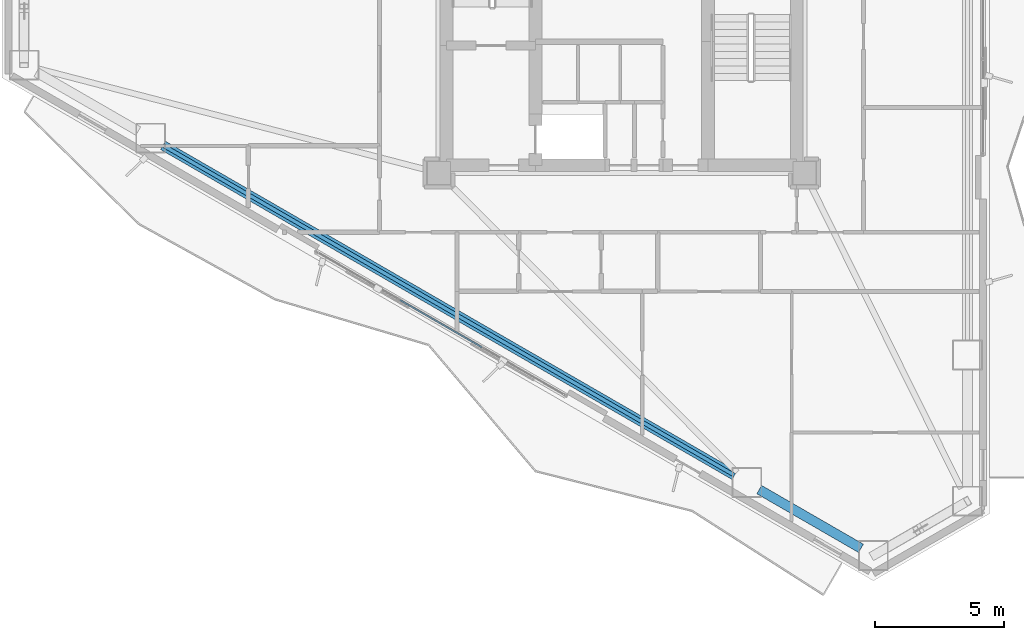
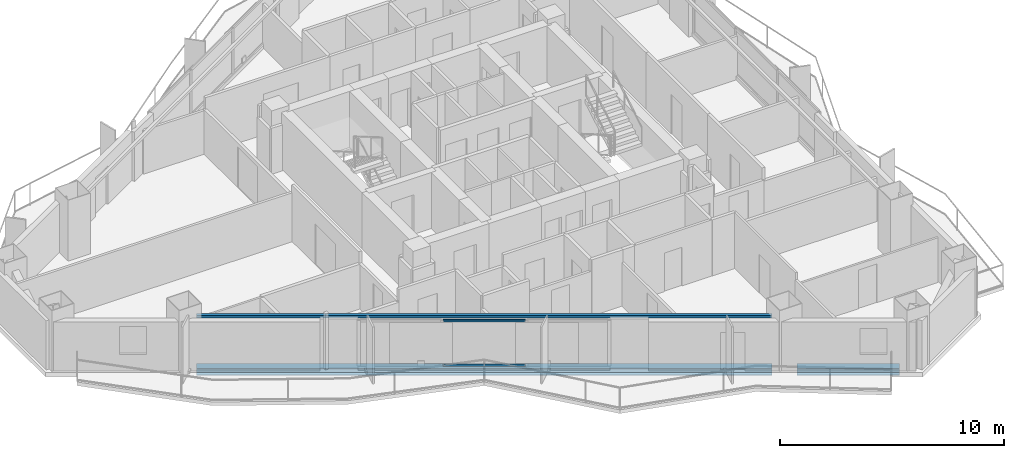
# One storey, part 3 of 22: 3 beams, 2 members, 1 element without a shape of its own.
"""IFC4 building model written with IfcOpenShell, lengths in metres."""

from ifc_helpers import new_model, si_unit, direction, frame, origin, origin_2d, place, context, subcontext, project, spatial, hollow_rectangle, i_section, extrude, material, layer, layer_set, material_profile, profile_set, type_object, element, aggregate, save


model = new_model("IFC4")

# Units and contexts
model_context = context("Model", 3, precision=1e-05, world=origin(), true_north=direction((0.0, 1.0)))
body_context = subcontext(model_context, "Body", "Model", "MODEL_VIEW")
ifc_project = project(units=[si_unit("LENGTHUNIT", "METRE"), si_unit("AREAUNIT", "SQUARE_METRE"), si_unit("VOLUMEUNIT", "CUBIC_METRE"), si_unit("PLANEANGLEUNIT", "RADIAN"), si_unit("MASSUNIT", "GRAM", prefix="KILO")], contexts=[model_context])

# Site, building, storey
site_placement = place(None, origin())
site = spatial("IfcSite", under=ifc_project, at=site_placement, CompositionType="ELEMENT")
building_placement = place(site_placement, origin())
building = spatial("IfcBuilding", under=site, at=building_placement, Name="Mersakhor Tower and Convention Hall", CompositionType="ELEMENT")
storey_placement = place(building_placement, frame((0.0, 0.0, 86.699951171875)))
storey = spatial("IfcBuildingStorey", under=building, at=storey_placement, Name="L23", CompositionType="ELEMENT", Elevation=86.699951171875)

# Beams
ifc_material_1 = material(Name="Steel S355", Category="steel")
ifc_material_profile_1 = material_profile(ifc_material_1, hollow_rectangle(XDim=0.14990234375, YDim=0.14990234375, WallThickness=0.010009765625, at=origin_2d()), Name="SHS 150x150x10")
ifc_profile_set_1 = profile_set([ifc_material_profile_1], Name="Steel S355")
beam_type_1 = type_object("IfcBeamType", Name="BM-GRT-SHS150", PredefinedType="USERDEFINED", material=ifc_profile_set_1)
beam_1_placement = place(storey_placement, frame((33.38232421875, 8.706787109375, 2.47998046875), z_axis=(-0.866022538643, 0.500004962538, 0.0), x_axis=(-0.500004962538, -0.866022538643, 0.0)))
element("IfcBeam", 1, at=beam_1_placement, inside=storey, type_object=beam_type_1, Name="L23 Facade Support Girt GRT-F3", ObjectType="GIRT", PredefinedType="USERDEFINED", context=body_context, shape_type="SweptSolid", body=[
    extrude(hollow_rectangle(XDim=0.14990234375, YDim=0.14990234375, WallThickness=0.010009765625, at=origin_2d()), origin(), (0.0, 0.0, 1.0), 25.633544921875),
])
ifc_material_2 = material(Name="Steel S355", Category="steel")
ifc_material_profile_2 = material_profile(ifc_material_2, i_section(OverallWidth=0.374755859375, OverallDepth=0.37451171875, WebThickness=0.0166015625, FlangeThickness=0.027099609375, at=origin_2d()), Name="UC 356x368x202")
ifc_profile_set_2 = profile_set([ifc_material_profile_2], Name="Steel S355")
beam_type_2 = type_object("IfcBeamType", Name="BM-SPD-UC356", PredefinedType="SPANDREL", material=ifc_profile_set_2)
beam_2_placement = place(storey_placement, frame((38.298095703125, 5.868896484375, -0.437255859375), z_axis=(-0.866046694585, 0.499963121439, 0.0), x_axis=(-0.499963121439, -0.866046694585, 0.0)))
element("IfcBeam", 2, at=beam_2_placement, inside=storey, type_object=beam_type_2, Name="L23 Perimeter Spandrel Beam SPB-09", PredefinedType="SPANDREL", context=body_context, shape_type="SweptSolid", body=[
    extrude(i_section(OverallWidth=0.374755859375, OverallDepth=0.37451171875, WebThickness=0.0166015625, FlangeThickness=0.027099609375, at=origin_2d()), origin(), (0.0, 0.0, 1.0), 4.566162109375),
])
beam_3_placement = place(storey_placement, frame((33.38232421875, 8.706787109375, -0.437255859375), z_axis=(-0.866022538643, 0.500004962538, 0.0), x_axis=(-0.500004962538, -0.866022538643, 0.0)))
element("IfcBeam", 3, at=beam_3_placement, inside=storey, type_object=beam_type_2, Name="L23 Perimeter Spandrel Beam SPB-10", PredefinedType="SPANDREL", context=body_context, shape_type="SweptSolid", body=[
    extrude(i_section(OverallWidth=0.374755859375, OverallDepth=0.37451171875, WebThickness=0.0166015625, FlangeThickness=0.027099609375, at=origin_2d()), origin(), (0.0, 0.0, 1.0), 25.633544921875),
])

# Curtain wall, members
ifc_material_3 = material(Name="Dark solar low-E aluminium curtain wall", Category="aluminium")
ifc_layer = layer(ifc_material_3, 0.159912109375)
ifc_layer_set = layer_set([ifc_layer], Name="Dark solar low-E aluminium curtain wall")
curtain_wall_type = type_object("IfcCurtainWallType", Name="CW-SYS-01", PredefinedType="USERDEFINED", material=ifc_layer_set)
curtain_wall_placement = place(storey_placement, origin())
curtain_wall = element("IfcCurtainWall", 4, at=curtain_wall_placement, inside=storey, type_object=curtain_wall_type, Name="L23 Dark-Glass Curtain Wall F3-B2", ObjectType="CURTAIN WALL", PredefinedType="USERDEFINED")
ifc_material_4 = material(Name="Anodised aluminium EN AW-6063 T6", Category="aluminium")
ifc_material_profile_3 = material_profile(ifc_material_4, hollow_rectangle(XDim=0.06005859375, YDim=0.1201171875, WallThickness=0.0048828125, at=origin_2d()), Name="RHS 120x60x5")
ifc_profile_set_3 = profile_set([ifc_material_profile_3], Name="Anodised aluminium EN AW-6063 T6")
member_type = type_object("IfcMemberType", Name="CWT-120x60", PredefinedType="USERDEFINED", material=ifc_profile_set_3)
member_1_placement = place(storey_placement, frame((23.571044921875, 13.6787109375, 0.22998046875), z_axis=(-0.866039286129, 0.499975954304, 0.0), x_axis=(-0.499975954304, -0.866039286129, 0.0)))
member_1 = element("IfcMember", 5, at=member_1_placement, type_object=member_type, Name="CW-01 transom 2.1", ObjectType="TRANSOM", PredefinedType="USERDEFINED", context=body_context, shape_type="SweptSolid", body=[
    extrude(hollow_rectangle(XDim=0.06005859375, YDim=0.1201171875, WallThickness=0.0048828125, at=origin_2d()), origin(), (0.0, 0.0, 1.0), 3.668212890625),
])
member_2_placement = place(storey_placement, frame((23.571044921875, 13.6787109375, 2.64013671875), z_axis=(-0.866039286129, 0.499975954304, 0.0), x_axis=(-0.499975954304, -0.866039286129, 0.0)))
member_2 = element("IfcMember", 6, at=member_2_placement, type_object=member_type, Name="CW-01 transom 2.2", ObjectType="TRANSOM", PredefinedType="USERDEFINED", context=body_context, shape_type="SweptSolid", body=[
    extrude(hollow_rectangle(XDim=0.06005859375, YDim=0.1201171875, WallThickness=0.0048828125, at=origin_2d()), origin(), (0.0, 0.0, 1.0), 3.668212890625),
])
aggregate(curtain_wall, [member_1, member_2])

save(model, "model.ifc")
